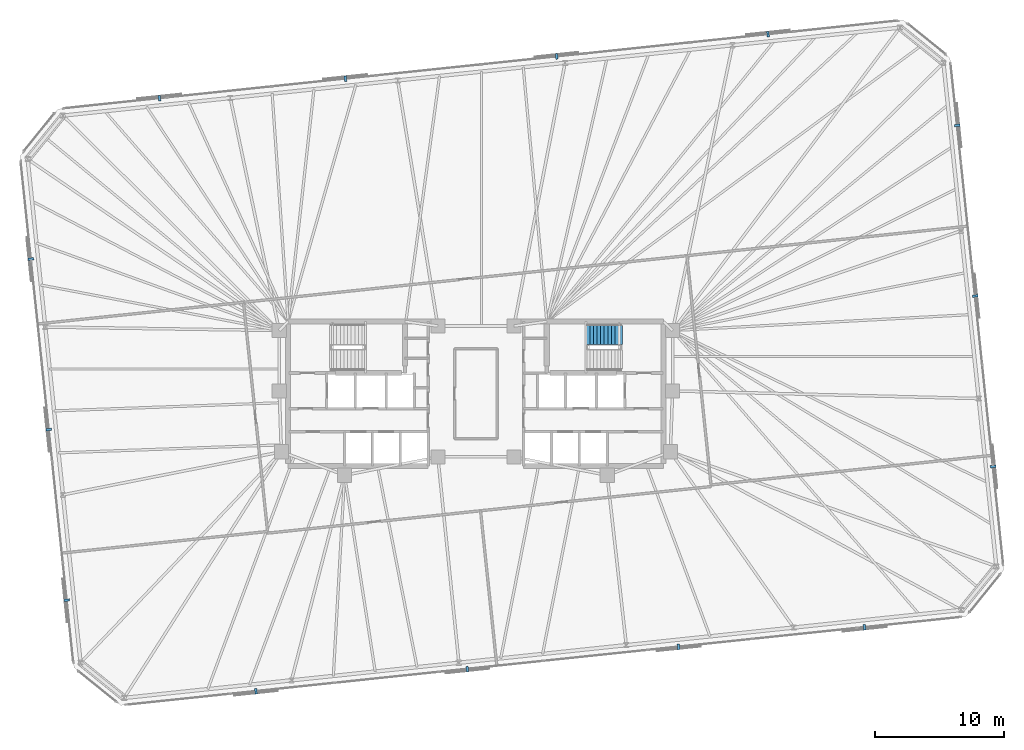
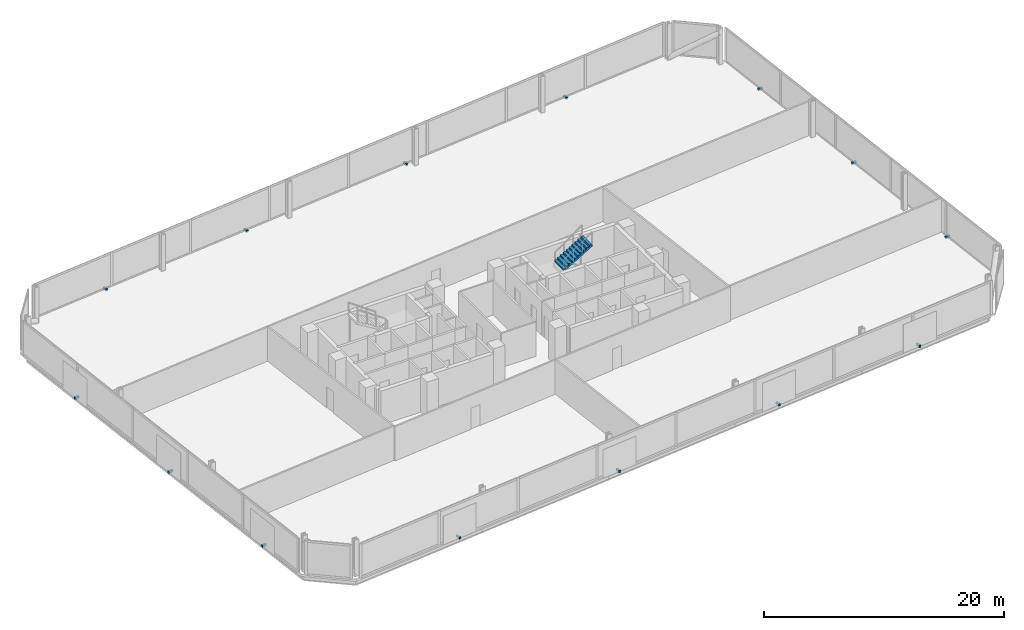
# One storey, part 16 of 17: 14 discrete accessories, 1 stair flight, 1 element without a shape of its own.
"""IFC4 building model written with IfcOpenShell, lengths in metres."""

from ifc_helpers import new_model, si_unit, direction, frame, origin, origin_2d, place, context, subcontext, project, spatial, polyline, rectangle, outline, extrude, material, type_object, element, aggregate, save


model = new_model("IFC4")

# Units and contexts
model_context = context("Model", 3, precision=1e-05, world=origin(), true_north=direction((0.0, 1.0)))
body_context = subcontext(model_context, "Body", "Model", "MODEL_VIEW")
ifc_project = project(units=[si_unit("LENGTHUNIT", "METRE"), si_unit("AREAUNIT", "SQUARE_METRE"), si_unit("VOLUMEUNIT", "CUBIC_METRE"), si_unit("PLANEANGLEUNIT", "RADIAN"), si_unit("MASSUNIT", "GRAM", prefix="KILO")], contexts=[model_context])

# Site, building, storey
site_placement = place(None, origin())
site = spatial("IfcSite", under=ifc_project, at=site_placement, CompositionType="ELEMENT")
building_placement = place(site_placement, origin())
building = spatial("IfcBuilding", under=site, at=building_placement, Name="Menara Jurai Vektor", CompositionType="ELEMENT")
storey_placement = place(building_placement, frame((0.0, 0.0, 131.800048828125)))
storey = spatial("IfcBuildingStorey", under=building, at=storey_placement, Name="L33", CompositionType="ELEMENT", Elevation=131.800048828125)

# Stair, stair flight
ifc_material_1 = material(Name="Concrete C40/50", Category="concrete")
stair_type = type_object("IfcStairType", Name="STAIR-DOGLEG-1500", PredefinedType="HALF_TURN_STAIR", material=ifc_material_1)
stair_placement = place(storey_placement, origin())
stair = element("IfcStair", 1, at=stair_placement, inside=storey, type_object=stair_type, Name="Protected Exit Stair ST2 L33", PredefinedType="HALF_TURN_STAIR")
stair_flight_type = type_object("IfcStairFlightType", Name="STAIR-FLIGHT-1500", PredefinedType="STRAIGHT", material=ifc_material_1)
stair_flight_placement = place(storey_placement, frame((8.550048828125, 4.550048828125, 1.849853515625), z_axis=(0.0, 0.0, 1.0), x_axis=(1.0, 0.0, 0.0)))
stair_flight = element("IfcStairFlight", 2, at=stair_flight_placement, type_object=stair_flight_type, Name="ST2 flight 2", NumberOfRisers=11, NumberOfTreads=10, PredefinedType="STRAIGHT", RiserHeight=0.168182, TreadLength=0.28, context=body_context, shape_type="SweptSolid", body=[
    extrude(outline(polyline([(0.0, 0.0), (0.0, 0.168212890625), (0.280029296875, 0.168212890625), (0.280029296875, 0.33642578125), (0.56005859375, 0.33642578125), (0.56005859375, 0.504638671875), (0.840087890625, 0.504638671875), (0.840087890625, 0.672607421875), (1.1201171875, 0.672607421875), (1.1201171875, 0.8408203125), (1.39990234375, 0.8408203125), (1.39990234375, 1.009033203125), (1.679931640625, 1.009033203125), (1.679931640625, 1.17724609375), (1.9599609375, 1.17724609375), (1.9599609375, 1.345458984375), (2.239990234375, 1.345458984375), (2.239990234375, 1.513671875), (2.52001953125, 1.513671875), (2.52001953125, 1.681884765625), (2.800048828125, 1.681884765625), (2.800048828125, 1.85009765625), (2.800048828125, 1.495361328125), (0.310546875, 0.0), (0.0, 0.0)])), frame((0.0, 0.75, 0.0), z_axis=(0.0, -1.0, 0.0), x_axis=(1.0, 0.0, 0.0)), (0.0, 0.0, 1.0), 1.5),
])
aggregate(stair, [stair_flight])

# Discrete accessories
ifc_material_2 = material(Name="Steel S355", Category="steel")
discrete_accessory_type = type_object("IfcDiscreteAccessoryType", Name="ENV-ACC-BRACKET", PredefinedType="BRACKET", material=ifc_material_2)
for number, where, z_axis, x_axis, name in (
    (3, (-17.052001953125, -23.07470703125, -0.1298828125), (0.0, 0.0, 1.0), (0.994521895368, 0.104528463268, 0.0), "Solar Screen Stand-Off Bracket L33-S01"),
    (4, (-0.667236328125, -21.3525390625, -0.1298828125), (0.0, 0.0, 1.0), (0.994521895368, 0.104528463268, 0.0), "Solar Screen Stand-Off Bracket L33-S02"),
    (5, (15.717529296875, -19.63037109375, -0.1298828125), (0.0, 0.0, 1.0), (0.994521895368, 0.104528463268, 0.0), "Solar Screen Stand-Off Bracket L33-S03"),
    (6, (30.13623046875, -18.114990234375, -0.1298828125), (0.0, 0.0, 1.0), (0.994521895368, 0.104528463268, 0.0), "Solar Screen Stand-Off Bracket L33-S04"),
    (7, (40.105712890625, -5.648193359375, -0.1298828125), (0.0, 0.0, 1.0), (-0.104528463268, 0.994521895368, 0.0), "Solar Screen Stand-Off Bracket L33-S05"),
    (8, (38.71533203125, 7.5791015625, -0.1298828125), (0.0, 0.0, 1.0), (-0.104528463268, 0.994521895368, 0.0), "Solar Screen Stand-Off Bracket L33-S06"),
    (9, (37.3251953125, 20.80615234375, -0.1298828125), (0.0, 0.0, 1.0), (-0.104528463268, 0.994521895368, 0.0), "Solar Screen Stand-Off Bracket L33-S07"),
    (10, (22.65185546875, 27.87451171875, -0.1298828125), (0.0, 0.0, 1.0), (-0.994521895368, -0.104528463268, 0.0), "Solar Screen Stand-Off Bracket L33-S08"),
    (11, (6.26708984375, 26.152587890625, -0.1298828125), (0.0, 0.0, 1.0), (-0.994521895368, -0.104528463268, 0.0), "Solar Screen Stand-Off Bracket L33-S09"),
    (12, (-10.11767578125, 24.430419921875, -0.1298828125), (0.0, 0.0, 1.0), (-0.994521895368, -0.104528463268, 0.0), "Solar Screen Stand-Off Bracket L33-S10"),
    (13, (-24.5361328125, 22.9150390625, -0.1298828125), (0.0, 0.0, 1.0), (-0.994521895368, -0.104528463268, 0.0), "Solar Screen Stand-Off Bracket L33-S11"),
    (14, (-34.505615234375, 10.447998046875, -0.1298828125), (0.0, 0.0, 1.0), (0.104528463268, -0.994521895368, 0.0), "Solar Screen Stand-Off Bracket L33-S12"),
    (15, (-33.115478515625, -2.779052734375, -0.1298828125), (0.0, 0.0, 1.0), (0.104528463268, -0.994521895368, 0.0), "Solar Screen Stand-Off Bracket L33-S13"),
    (16, (-31.72509765625, -16.006103515625, -0.1298828125), (0.0, 0.0, 1.0), (0.104528463268, -0.994521895368, 0.0), "Solar Screen Stand-Off Bracket L33-S14"),
):
    element("IfcDiscreteAccessory", number, at=place(storey_placement, frame(where, z_axis=z_axis, x_axis=x_axis)), inside=storey, type_object=discrete_accessory_type, Name=name, PredefinedType="BRACKET", context=body_context, shape_type="SweptSolid", body=[
        extrude(rectangle(XDim=0.179931640625, YDim=0.43994140625, at=origin_2d()), origin(), (0.0, 0.0, 1.0), 0.219970703125),
    ])

save(model, "model.ifc")
